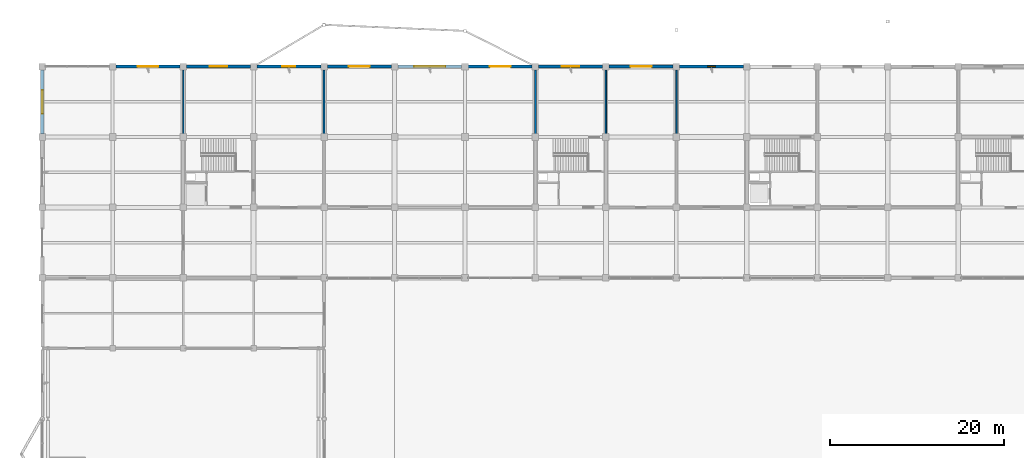
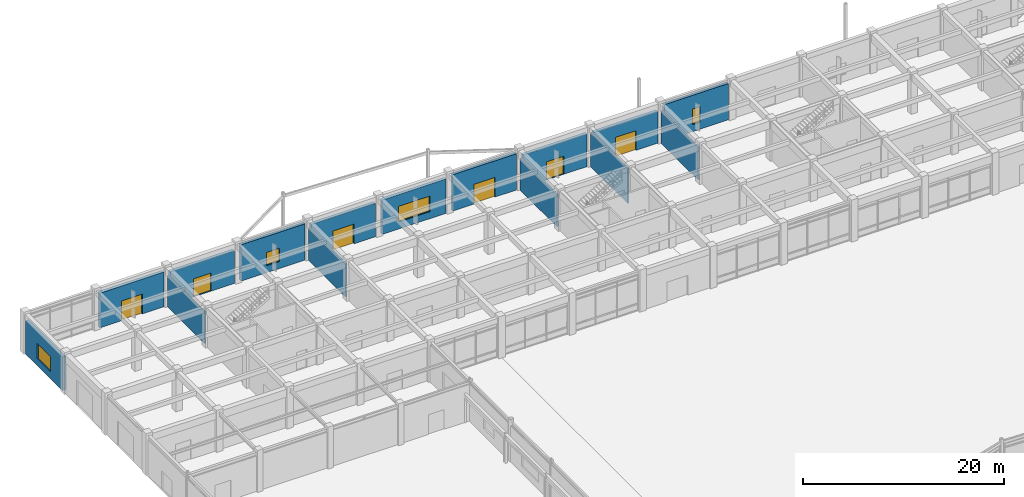
# One storey, part 72 of 99: 15 walls, 6 doors, 4 windows, 10 openings.
"""IFC4 building model written with IfcOpenShell, lengths in metres."""

from ifc_helpers import new_model, si_unit, direction, frame, frame_2d, origin, place, context, subcontext, project, spatial, rectangle, extrude, material, layer, layer_set, type_object, element, fill, save


model = new_model("IFC4")

# Units and contexts
model_context = context("Model", 3, precision=1e-05, world=origin(), true_north=direction((0.0, 1.0)))
body_context = subcontext(model_context, "Body", "Model", "MODEL_VIEW")
ifc_project = project(units=[si_unit("LENGTHUNIT", "METRE"), si_unit("AREAUNIT", "SQUARE_METRE"), si_unit("VOLUMEUNIT", "CUBIC_METRE"), si_unit("PLANEANGLEUNIT", "RADIAN"), si_unit("MASSUNIT", "GRAM", prefix="KILO")], contexts=[model_context])

# Site, building, storey
site_placement = place(None, origin())
site = spatial("IfcSite", under=ifc_project, at=site_placement, CompositionType="ELEMENT")
building_placement = place(site_placement, origin())
building = spatial("IfcBuilding", under=site, at=building_placement, Name="Vaudrelin Polytechnic", CompositionType="ELEMENT")
storey_placement = place(building_placement, origin())
storey = spatial("IfcBuildingStorey", under=building, at=storey_placement, Name="L00", CompositionType="ELEMENT", Elevation=0.0)

# Wall, opening, window
ifc_material_1 = material(Name="Precast concrete 35 MPa with standing-seam zinc rainscreen", Category="concrete")
ifc_layer_1 = layer(ifc_material_1, 0.360107421875)
ifc_layer_set_1 = layer_set([ifc_layer_1], Name="Precast concrete 35 MPa with standing-seam zinc rainscreen")
wall_type_1 = type_object("IfcWallType", Name="WAL-EW-ZINC360", PredefinedType="STANDARD", material=ifc_layer_set_1)
wall_1_placement = place(storey_placement, frame((0.0, 113.77294921875, 0.0), z_axis=(0.0, 0.0, 1.0), x_axis=(0.0, 1.0, 0.0)))
wall_1 = element("IfcWall", 1, at=wall_1_placement, inside=storey, type_object=wall_type_1, Name="Exterior wall L00 W_V5_02", PredefinedType="STANDARD", context=body_context, shape_type="SweptSolid", body=[
    extrude(rectangle(XDim=7.35400390625, YDim=0.360107421875, at=frame_2d((3.677001953125, 0.0))), origin(), (0.0, 0.0, 1.0), 4.072021484375),
])
opening_1_placement = place(wall_1_placement, frame((2.326904296875, 0.0, 0.85009765625)))
opening_1 = element("IfcOpeningElement", 2, at=opening_1_placement, cuts=wall_1, Name="Opening W-L00-W-V5-03", PredefinedType="OPENING", context=body_context, shape_type="SweptSolid", body=[
    extrude(rectangle(XDim=2.699951171875, YDim=1.85009765625, at=frame_2d((1.35009765625, 0.925048828125))), frame((0.0, 0.18994140625, 0.0), z_axis=(0.0, -1.0, 0.0), x_axis=(1.0, 0.0, 0.0)), (0.0, 0.0, 1.0), 0.380126953125),
])
ifc_material_2 = material(Name="Thermally broken aluminium frame with triple low-e glazing", Category="aluminium")
window_type_1 = type_object("IfcWindowType", Name="WIN-WN-06", PartitioningType="SINGLE_PANEL", PredefinedType="WINDOW", material=ifc_material_2)
window_1_placement = place(opening_1_placement, origin())
window_1 = element("IfcWindow", 3, at=window_1_placement, inside=storey, type_object=window_type_1, Name="Facade window L00-W_V5_02", OverallHeight=1.85009765625, OverallWidth=2.699951171875, PartitioningType="SINGLE_PANEL", PredefinedType="WINDOW", context=body_context, shape_type="SweptSolid", body=[
    extrude(rectangle(XDim=2.699951171875, YDim=1.85009765625, at=frame_2d((1.35009765625, 0.925048828125))), frame((0.0, 0.030029296875, 0.0), z_axis=(0.0, -1.0, 0.0), x_axis=(1.0, 0.0, 0.0)), (0.0, 0.0, 1.0), 0.06005859375),
])
fill(opening_1, window_1)

# Wall, opening, door
wall_2_placement = place(storey_placement, frame((8.472900390625, 121.5, 0.0), z_axis=(0.0, 0.0, 1.0), x_axis=(1.0, 0.0, 0.0)))
wall_2 = element("IfcWall", 4, at=wall_2_placement, inside=storey, type_object=wall_type_1, Name="Exterior wall L00 N_V5_01", PredefinedType="STANDARD", context=body_context, shape_type="SweptSolid", body=[
    extrude(rectangle(XDim=7.35400390625, YDim=0.360107421875, at=frame_2d((3.677001953125, 0.0))), origin(), (0.0, 0.0, 1.0), 4.221923828125),
])
opening_2_placement = place(wall_2_placement, frame((2.47705078125, 0.0, 0.0)))
opening_2 = element("IfcOpeningElement", 5, at=opening_2_placement, cuts=wall_2, Name="Opening ED-00-29", PredefinedType="OPENING", context=body_context, shape_type="SweptSolid", body=[
    extrude(rectangle(XDim=2.39990234375, YDim=2.39990234375, at=frame_2d((1.199951171875, 1.199951171875))), frame((0.0, 0.18994140625, 0.0), z_axis=(0.0, -1.0, 0.0), x_axis=(1.0, 0.0, 0.0)), (0.0, 0.0, 1.0), 0.380126953125),
])
ifc_material_3 = material(Name="Thermally broken anodised aluminium AA 6063-T6", Category="aluminium")
door_type_1 = type_object("IfcDoorType", Name="DOR-ED-01", OperationType="DOUBLE_SWING_LEFT", PredefinedType="DOOR", material=ifc_material_3)
door_1_placement = place(opening_2_placement, origin())
door_1 = element("IfcDoor", 6, at=door_1_placement, inside=storey, type_object=door_type_1, Name="Exterior exit door ED-00-29", OperationType="DOUBLE_SWING_LEFT", OverallHeight=2.39990234375, OverallWidth=2.39990234375, PredefinedType="DOOR", context=body_context, shape_type="SweptSolid", body=[
    extrude(rectangle(XDim=2.39990234375, YDim=2.39990234375, at=frame_2d((1.199951171875, 1.199951171875))), frame((0.0, 0.02490234375, 0.0), z_axis=(0.0, -1.0, 0.0), x_axis=(1.0, 0.0, 0.0)), (0.0, 0.0, 1.0), 0.050048828125),
])
fill(opening_2, door_1)

wall_3_placement = place(storey_placement, frame((16.572998046875, 121.5, 0.0), z_axis=(0.0, 0.0, 1.0), x_axis=(1.0, 0.0, 0.0)))
wall_3 = element("IfcWall", 7, at=wall_3_placement, inside=storey, type_object=wall_type_1, Name="Exterior wall L00 N_V5_02", PredefinedType="STANDARD", context=body_context, shape_type="SweptSolid", body=[
    extrude(rectangle(XDim=7.35400390625, YDim=0.360107421875, at=frame_2d((3.677001953125, 0.0))), origin(), (0.0, 0.0, 1.0), 3.971923828125),
])
opening_3_placement = place(wall_3_placement, frame((2.677001953125, 0.0, 0.0)))
opening_3 = element("IfcOpeningElement", 8, at=opening_3_placement, cuts=wall_3, Name="Opening ED-00-02", PredefinedType="OPENING", context=body_context, shape_type="SweptSolid", body=[
    extrude(rectangle(XDim=2.0, YDim=2.199951171875, at=frame_2d((1.0, 1.10009765625))), frame((0.0, 0.18994140625, 0.0), z_axis=(0.0, -1.0, 0.0), x_axis=(1.0, 0.0, 0.0)), (0.0, 0.0, 1.0), 0.380126953125),
])
door_type_2 = type_object("IfcDoorType", Name="DOR-ED-02", OperationType="DOUBLE_SWING_LEFT", PredefinedType="DOOR", material=ifc_material_3)
door_2_placement = place(opening_3_placement, origin())
door_2 = element("IfcDoor", 9, at=door_2_placement, inside=storey, type_object=door_type_2, Name="Exterior exit door ED-00-02", OperationType="DOUBLE_SWING_RIGHT", OverallHeight=2.199951171875, OverallWidth=2.0, PredefinedType="DOOR", context=body_context, shape_type="SweptSolid", body=[
    extrude(rectangle(XDim=2.0, YDim=2.199951171875, at=frame_2d((1.0, 1.10009765625))), frame((0.0, 0.02490234375, 0.0), z_axis=(0.0, -1.0, 0.0), x_axis=(1.0, 0.0, 0.0)), (0.0, 0.0, 1.0), 0.050048828125),
])
fill(opening_3, door_2)

# Wall, opening, window
wall_4_placement = place(storey_placement, frame((24.673095703125, 121.5, 0.0), z_axis=(0.0, 0.0, 1.0), x_axis=(1.0, 0.0, 0.0)))
wall_4 = element("IfcWall", 10, at=wall_4_placement, inside=storey, type_object=wall_type_1, Name="Exterior wall L00 N_V5_03", PredefinedType="STANDARD", context=body_context, shape_type="SweptSolid", body=[
    extrude(rectangle(XDim=7.35400390625, YDim=0.360107421875, at=frame_2d((3.677001953125, 0.0))), origin(), (0.0, 0.0, 1.0), 4.406982421875),
])
opening_4_placement = place(wall_4_placement, frame((2.927001953125, 0.0, 0.85009765625)))
opening_4 = element("IfcOpeningElement", 11, at=opening_4_placement, cuts=wall_4, Name="Opening W-L00-N-V5-04", PredefinedType="OPENING", context=body_context, shape_type="SweptSolid", body=[
    extrude(rectangle(XDim=1.5, YDim=1.60009765625, at=frame_2d((0.75, 0.800048828125))), frame((0.0, 0.18994140625, 0.0), z_axis=(0.0, -1.0, 0.0), x_axis=(1.0, 0.0, 0.0)), (0.0, 0.0, 1.0), 0.380126953125),
])
window_type_2 = type_object("IfcWindowType", Name="WIN-WN-07", PartitioningType="SINGLE_PANEL", PredefinedType="WINDOW", material=ifc_material_2)
window_2_placement = place(opening_4_placement, origin())
window_2 = element("IfcWindow", 12, at=window_2_placement, inside=storey, type_object=window_type_2, Name="Facade window L00-N_V5_03", OverallHeight=1.60009765625, OverallWidth=1.5, PartitioningType="SINGLE_PANEL", PredefinedType="WINDOW", context=body_context, shape_type="SweptSolid", body=[
    extrude(rectangle(XDim=1.5, YDim=1.60009765625, at=frame_2d((0.75, 0.800048828125))), frame((0.0, 0.030029296875, 0.0), z_axis=(0.0, -1.0, 0.0), x_axis=(1.0, 0.0, 0.0)), (0.0, 0.0, 1.0), 0.06005859375),
])
fill(opening_4, window_2)

# Wall, opening, door
wall_5_placement = place(storey_placement, frame((32.77294921875, 121.5, 0.0), z_axis=(0.0, 0.0, 1.0), x_axis=(1.0, 0.0, 0.0)))
wall_5 = element("IfcWall", 13, at=wall_5_placement, inside=storey, type_object=wall_type_1, Name="Exterior wall L00 N_V5_04", PredefinedType="STANDARD", context=body_context, shape_type="SweptSolid", body=[
    extrude(rectangle(XDim=7.35400390625, YDim=0.360107421875, at=frame_2d((3.677001953125, 0.0))), origin(), (0.0, 0.0, 1.0), 4.072021484375),
])
opening_5_placement = place(wall_5_placement, frame((2.47705078125, 0.0, 0.0)))
opening_5 = element("IfcOpeningElement", 14, at=opening_5_placement, cuts=wall_5, Name="Opening ED-00-17", PredefinedType="OPENING", context=body_context, shape_type="SweptSolid", body=[
    extrude(rectangle(XDim=2.39990234375, YDim=2.39990234375, at=frame_2d((1.199951171875, 1.199951171875))), frame((0.0, 0.18994140625, 0.0), z_axis=(0.0, -1.0, 0.0), x_axis=(1.0, 0.0, 0.0)), (0.0, 0.0, 1.0), 0.380126953125),
])
door_3_placement = place(opening_5_placement, origin())
door_3 = element("IfcDoor", 15, at=door_3_placement, inside=storey, type_object=door_type_1, Name="Exterior exit door ED-00-17", OperationType="DOUBLE_SWING_LEFT", OverallHeight=2.39990234375, OverallWidth=2.39990234375, PredefinedType="DOOR", context=body_context, shape_type="SweptSolid", body=[
    extrude(rectangle(XDim=2.39990234375, YDim=2.39990234375, at=frame_2d((1.199951171875, 1.199951171875))), frame((0.0, 0.02490234375, 0.0), z_axis=(0.0, -1.0, 0.0), x_axis=(1.0, 0.0, 0.0)), (0.0, 0.0, 1.0), 0.050048828125),
])
fill(opening_5, door_3)

# Wall, opening, window
wall_6_placement = place(storey_placement, frame((40.873046875, 121.5, 0.0), z_axis=(0.0, 0.0, 1.0), x_axis=(1.0, 0.0, 0.0)))
wall_6 = element("IfcWall", 16, at=wall_6_placement, inside=storey, type_object=wall_type_1, Name="Exterior wall L00 N_V5_05", PredefinedType="STANDARD", context=body_context, shape_type="SweptSolid", body=[
    extrude(rectangle(XDim=7.35400390625, YDim=0.360107421875, at=frame_2d((3.677001953125, 0.0))), origin(), (0.0, 0.0, 1.0), 4.172119140625),
])
opening_6_placement = place(wall_6_placement, frame((1.876953125, 0.0, 0.85009765625)))
opening_6 = element("IfcOpeningElement", 17, at=opening_6_placement, cuts=wall_6, Name="Opening W-L00-N-V5-06", PredefinedType="OPENING", context=body_context, shape_type="SweptSolid", body=[
    extrude(rectangle(XDim=3.60009765625, YDim=1.89990234375, at=frame_2d((1.800048828125, 0.949951171875))), frame((0.0, 0.18994140625, 0.0), z_axis=(0.0, -1.0, 0.0), x_axis=(1.0, 0.0, 0.0)), (0.0, 0.0, 1.0), 0.380126953125),
])
window_type_3 = type_object("IfcWindowType", Name="WIN-WN-08", PartitioningType="SINGLE_PANEL", PredefinedType="WINDOW", material=ifc_material_2)
window_3_placement = place(opening_6_placement, origin())
window_3 = element("IfcWindow", 18, at=window_3_placement, inside=storey, type_object=window_type_3, Name="Facade window L00-N_V5_05", OverallHeight=1.89990234375, OverallWidth=3.60009765625, PartitioningType="SINGLE_PANEL", PredefinedType="WINDOW", context=body_context, shape_type="SweptSolid", body=[
    extrude(rectangle(XDim=3.60009765625, YDim=1.89990234375, at=frame_2d((1.800048828125, 0.949951171875))), frame((0.0, 0.030029296875, 0.0), z_axis=(0.0, -1.0, 0.0), x_axis=(1.0, 0.0, 0.0)), (0.0, 0.0, 1.0), 0.06005859375),
])
fill(opening_6, window_3)

# Wall, opening, door
wall_7_placement = place(storey_placement, frame((48.972900390625, 121.5, 0.0), z_axis=(0.0, 0.0, 1.0), x_axis=(1.0, 0.0, 0.0)))
wall_7 = element("IfcWall", 19, at=wall_7_placement, inside=storey, type_object=wall_type_1, Name="Exterior wall L00 N_V5_06", PredefinedType="STANDARD", context=body_context, shape_type="SweptSolid", body=[
    extrude(rectangle(XDim=7.35400390625, YDim=0.360107421875, at=frame_2d((3.677001953125, 0.0))), origin(), (0.0, 0.0, 1.0), 4.406982421875),
])
opening_7_placement = place(wall_7_placement, frame((2.47705078125, 0.0, 0.0)))
opening_7 = element("IfcOpeningElement", 20, at=opening_7_placement, cuts=wall_7, Name="Opening ED-00-03", PredefinedType="OPENING", context=body_context, shape_type="SweptSolid", body=[
    extrude(rectangle(XDim=2.39990234375, YDim=2.39990234375, at=frame_2d((1.199951171875, 1.199951171875))), frame((0.0, 0.18994140625, 0.0), z_axis=(0.0, -1.0, 0.0), x_axis=(1.0, 0.0, 0.0)), (0.0, 0.0, 1.0), 0.380126953125),
])
door_4_placement = place(opening_7_placement, origin())
door_4 = element("IfcDoor", 21, at=door_4_placement, inside=storey, type_object=door_type_1, Name="Exterior exit door ED-00-03", OperationType="DOUBLE_SWING_LEFT", OverallHeight=2.39990234375, OverallWidth=2.39990234375, PredefinedType="DOOR", context=body_context, shape_type="SweptSolid", body=[
    extrude(rectangle(XDim=2.39990234375, YDim=2.39990234375, at=frame_2d((1.199951171875, 1.199951171875))), frame((0.0, 0.02490234375, 0.0), z_axis=(0.0, -1.0, 0.0), x_axis=(1.0, 0.0, 0.0)), (0.0, 0.0, 1.0), 0.050048828125),
])
fill(opening_7, door_4)

wall_8_placement = place(storey_placement, frame((57.072998046875, 121.5, 0.0), z_axis=(0.0, 0.0, 1.0), x_axis=(1.0, 0.0, 0.0)))
wall_8 = element("IfcWall", 22, at=wall_8_placement, inside=storey, type_object=wall_type_1, Name="Exterior wall L00 N_V5_07", PredefinedType="STANDARD", context=body_context, shape_type="SweptSolid", body=[
    extrude(rectangle(XDim=7.35400390625, YDim=0.360107421875, at=frame_2d((3.677001953125, 0.0))), origin(), (0.0, 0.0, 1.0), 3.971923828125),
])
opening_8_placement = place(wall_8_placement, frame((2.677001953125, 0.0, 0.0)))
opening_8 = element("IfcOpeningElement", 23, at=opening_8_placement, cuts=wall_8, Name="Opening ED-00-31", PredefinedType="OPENING", context=body_context, shape_type="SweptSolid", body=[
    extrude(rectangle(XDim=2.0, YDim=2.199951171875, at=frame_2d((1.0, 1.10009765625))), frame((0.0, 0.18994140625, 0.0), z_axis=(0.0, -1.0, 0.0), x_axis=(1.0, 0.0, 0.0)), (0.0, 0.0, 1.0), 0.380126953125),
])
door_5_placement = place(opening_8_placement, origin())
door_5 = element("IfcDoor", 24, at=door_5_placement, inside=storey, type_object=door_type_2, Name="Exterior exit door ED-00-31", OperationType="DOUBLE_SWING_RIGHT", OverallHeight=2.199951171875, OverallWidth=2.0, PredefinedType="DOOR", context=body_context, shape_type="SweptSolid", body=[
    extrude(rectangle(XDim=2.0, YDim=2.199951171875, at=frame_2d((1.0, 1.10009765625))), frame((0.0, 0.02490234375, 0.0), z_axis=(0.0, -1.0, 0.0), x_axis=(1.0, 0.0, 0.0)), (0.0, 0.0, 1.0), 0.050048828125),
])
fill(opening_8, door_5)

wall_9_placement = place(storey_placement, frame((65.173095703125, 121.5, 0.0), z_axis=(0.0, 0.0, 1.0), x_axis=(1.0, 0.0, 0.0)))
wall_9 = element("IfcWall", 25, at=wall_9_placement, inside=storey, type_object=wall_type_1, Name="Exterior wall L00 N_V5_08", PredefinedType="STANDARD", context=body_context, shape_type="SweptSolid", body=[
    extrude(rectangle(XDim=7.35400390625, YDim=0.360107421875, at=frame_2d((3.677001953125, 0.0))), origin(), (0.0, 0.0, 1.0), 3.8720703125),
])
opening_9_placement = place(wall_9_placement, frame((2.47705078125, 0.0, 0.0)))
opening_9 = element("IfcOpeningElement", 26, at=opening_9_placement, cuts=wall_9, Name="Opening ED-00-24", PredefinedType="OPENING", context=body_context, shape_type="SweptSolid", body=[
    extrude(rectangle(XDim=2.39990234375, YDim=2.39990234375, at=frame_2d((1.199951171875, 1.199951171875))), frame((0.0, 0.18994140625, 0.0), z_axis=(0.0, -1.0, 0.0), x_axis=(1.0, 0.0, 0.0)), (0.0, 0.0, 1.0), 0.380126953125),
])
door_6_placement = place(opening_9_placement, origin())
door_6 = element("IfcDoor", 27, at=door_6_placement, inside=storey, type_object=door_type_1, Name="Exterior exit door ED-00-24", OperationType="DOUBLE_SWING_LEFT", OverallHeight=2.39990234375, OverallWidth=2.39990234375, PredefinedType="DOOR", context=body_context, shape_type="SweptSolid", body=[
    extrude(rectangle(XDim=2.39990234375, YDim=2.39990234375, at=frame_2d((1.199951171875, 1.199951171875))), frame((0.0, 0.02490234375, 0.0), z_axis=(0.0, -1.0, 0.0), x_axis=(1.0, 0.0, 0.0)), (0.0, 0.0, 1.0), 0.050048828125),
])
fill(opening_9, door_6)

# Wall, opening, window
wall_10_placement = place(storey_placement, frame((73.27294921875, 121.5, 0.0), z_axis=(0.0, 0.0, 1.0), x_axis=(1.0, 0.0, 0.0)))
wall_10 = element("IfcWall", 28, at=wall_10_placement, inside=storey, type_object=wall_type_1, Name="Exterior wall L00 N_V5_09", PredefinedType="STANDARD", context=body_context, shape_type="SweptSolid", body=[
    extrude(rectangle(XDim=7.35400390625, YDim=0.360107421875, at=frame_2d((3.677001953125, 0.0))), origin(), (0.0, 0.0, 1.0), 4.406982421875),
])
opening_10_placement = place(wall_10_placement, frame((3.22705078125, 0.0, 0.85009765625)))
opening_10 = element("IfcOpeningElement", 29, at=opening_10_placement, cuts=wall_10, Name="Opening W-L00-N-V5-10", PredefinedType="OPENING", context=body_context, shape_type="SweptSolid", body=[
    extrude(rectangle(XDim=0.89990234375, YDim=1.89990234375, at=frame_2d((0.449951171875, 0.949951171875))), frame((0.0, 0.18994140625, 0.0), z_axis=(0.0, -1.0, 0.0), x_axis=(1.0, 0.0, 0.0)), (0.0, 0.0, 1.0), 0.380126953125),
])
window_type_4 = type_object("IfcWindowType", Name="WIN-WN-09", PartitioningType="SINGLE_PANEL", PredefinedType="WINDOW", material=ifc_material_2)
window_4_placement = place(opening_10_placement, origin())
window_4 = element("IfcWindow", 30, at=window_4_placement, inside=storey, type_object=window_type_4, Name="Facade window L00-N_V5_09", OverallHeight=1.89990234375, OverallWidth=0.89990234375, PartitioningType="SINGLE_PANEL", PredefinedType="WINDOW", context=body_context, shape_type="SweptSolid", body=[
    extrude(rectangle(XDim=0.89990234375, YDim=1.89990234375, at=frame_2d((0.449951171875, 0.949951171875))), frame((0.0, 0.030029296875, 0.0), z_axis=(0.0, -1.0, 0.0), x_axis=(1.0, 0.0, 0.0)), (0.0, 0.0, 1.0), 0.06005859375),
])
fill(opening_10, window_4)

# Walls
ifc_material_4 = material(Name="Acoustic double-stud gypsum & mineral-wool partition", Category="gypsum")
ifc_layer_2 = layer(ifc_material_4, 0.179931640625)
ifc_layer_set_2 = layer_set([ifc_layer_2], Name="Acoustic double-stud gypsum & mineral-wool partition")
wall_type_2 = type_object("IfcWallType", Name="WAL-PW-AC180", PredefinedType="PARTITIONING", material=ifc_layer_set_2)
wall_11_placement = place(storey_placement, frame((72.89990234375, 113.77294921875, 0.0), z_axis=(0.0, 0.0, 1.0), x_axis=(0.0, 1.0, 0.0)))
element("IfcWall", 31, at=wall_11_placement, inside=storey, type_object=wall_type_2, Name="Partition L00-017 E", PredefinedType="PARTITIONING", context=body_context, shape_type="SweptSolid", body=[
    extrude(rectangle(XDim=7.35400390625, YDim=0.179931640625, at=frame_2d((3.677001953125, 0.0))), origin(), (0.0, 0.0, 1.0), 3.971923828125),
])
wall_12_placement = place(storey_placement, frame((64.800048828125, 113.77294921875, 0.0), z_axis=(0.0, 0.0, 1.0), x_axis=(0.0, 1.0, 0.0)))
element("IfcWall", 32, at=wall_12_placement, inside=storey, type_object=wall_type_2, Name="Partition L00-017 W", PredefinedType="PARTITIONING", context=body_context, shape_type="SweptSolid", body=[
    extrude(rectangle(XDim=7.35400390625, YDim=0.179931640625, at=frame_2d((3.677001953125, 0.0))), origin(), (0.0, 0.0, 1.0), 4.172119140625),
])
ifc_material_5 = material(Name="Concrete masonry unit 20 MPa shaft & corridor fire wall", Category="masonry")
ifc_layer_3 = layer(ifc_material_5, 0.199951171875)
ifc_layer_set_3 = layer_set([ifc_layer_3], Name="Concrete masonry unit 20 MPa shaft & corridor fire wall")
wall_type_3 = type_object("IfcWallType", Name="WAL-PW-FIRE120", PredefinedType="PARTITIONING", material=ifc_layer_set_3)
wall_13_placement = place(storey_placement, frame((56.699951171875, 113.77294921875, 0.0), z_axis=(0.0, 0.0, 1.0), x_axis=(0.0, 1.0, 0.0)))
element("IfcWall", 33, at=wall_13_placement, inside=storey, type_object=wall_type_3, Name="Partition L00-015 E", PredefinedType="PARTITIONING", context=body_context, shape_type="SweptSolid", body=[
    extrude(rectangle(XDim=7.35400390625, YDim=0.199951171875, at=frame_2d((3.677001953125, 0.0))), origin(), (0.0, 0.0, 1.0), 3.8720703125),
])
wall_14_placement = place(storey_placement, frame((32.39990234375, 113.77294921875, 0.0), z_axis=(0.0, 0.0, 1.0), x_axis=(0.0, 1.0, 0.0)))
element("IfcWall", 34, at=wall_14_placement, inside=storey, type_object=wall_type_3, Name="Partition L00-015 W", PredefinedType="PARTITIONING", context=body_context, shape_type="SweptSolid", body=[
    extrude(rectangle(XDim=7.35400390625, YDim=0.199951171875, at=frame_2d((3.677001953125, 0.0))), origin(), (0.0, 0.0, 1.0), 3.971923828125),
])
ifc_material_6 = material(Name="Fire-rated steel-stud gypsum compartment wall", Category="steel")
ifc_layer_4 = layer(ifc_material_6, 0.14990234375)
ifc_layer_set_4 = layer_set([ifc_layer_4], Name="Fire-rated steel-stud gypsum compartment wall")
wall_type_4 = type_object("IfcWallType", Name="WAL-PW-FIRE60", PredefinedType="PARTITIONING", material=ifc_layer_set_4)
wall_15_placement = place(storey_placement, frame((16.199951171875, 113.77294921875, 0.0), z_axis=(0.0, 0.0, 1.0), x_axis=(0.0, 1.0, 0.0)))
element("IfcWall", 35, at=wall_15_placement, inside=storey, type_object=wall_type_4, Name="Partition L00-014 E", PredefinedType="PARTITIONING", context=body_context, shape_type="SweptSolid", body=[
    extrude(rectangle(XDim=7.35400390625, YDim=0.14990234375, at=frame_2d((3.677001953125, 0.0))), origin(), (0.0, 0.0, 1.0), 3.8720703125),
])

save(model, "model.ifc")
